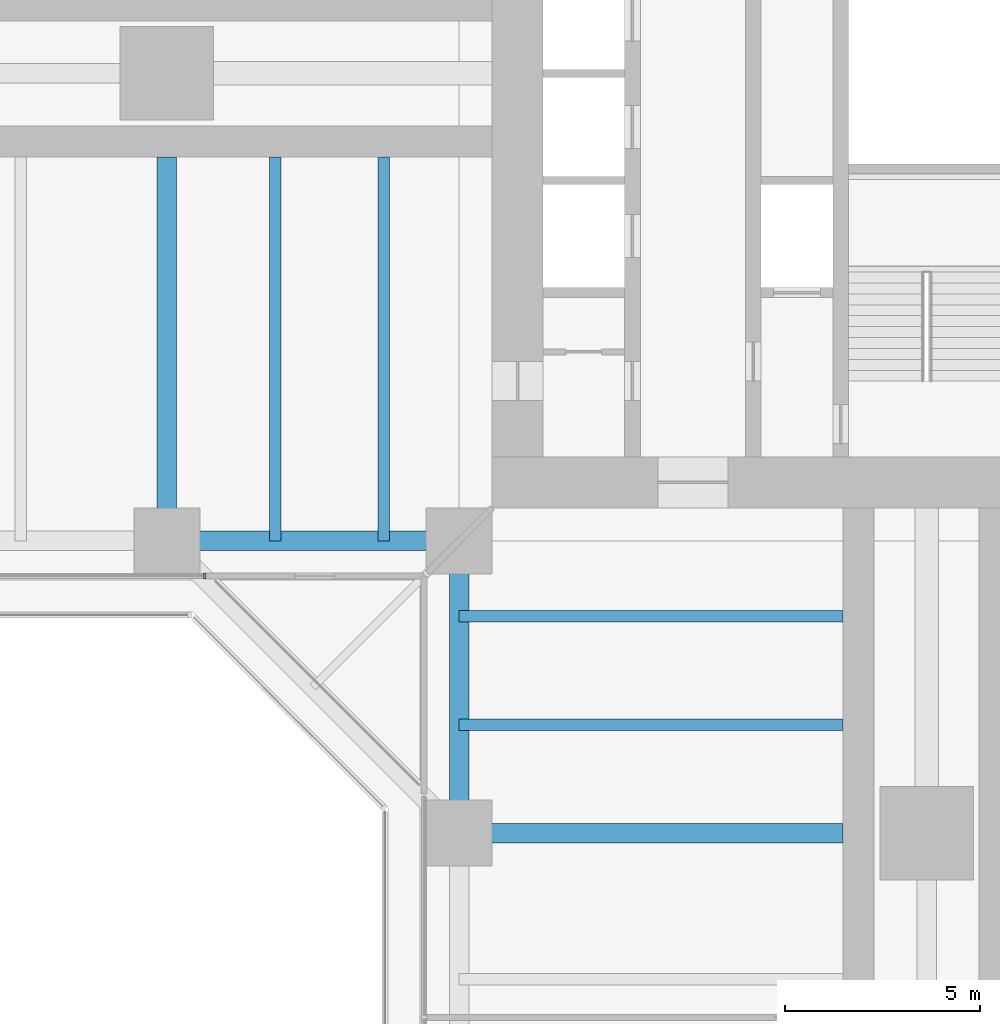
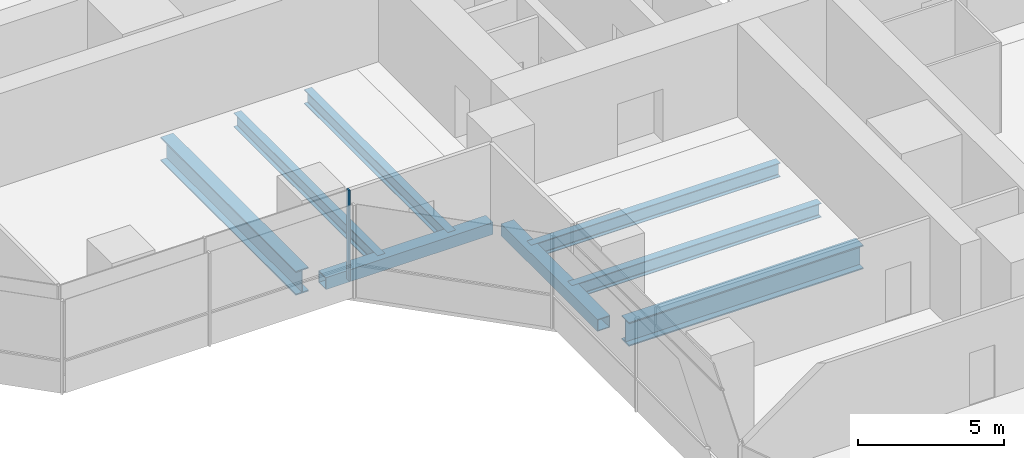
# One storey, part 4 of 22: 8 beams, 1 member, 1 element without a shape of its own.
"""IFC4 building model written with IfcOpenShell, lengths in metres."""

from ifc_helpers import new_model, si_unit, direction, frame, origin, origin_2d, place, context, subcontext, project, spatial, rectangle, hollow_rectangle, i_section, extrude, material, material_profile, profile_set, type_object, element, aggregate, save


model = new_model("IFC4")

# Units and contexts
model_context = context("Model", 3, precision=1e-05, world=origin(), true_north=direction((0.0, 1.0)))
body_context = subcontext(model_context, "Body", "Model", "MODEL_VIEW")
ifc_project = project(units=[si_unit("LENGTHUNIT", "METRE"), si_unit("AREAUNIT", "SQUARE_METRE"), si_unit("VOLUMEUNIT", "CUBIC_METRE"), si_unit("PLANEANGLEUNIT", "RADIAN"), si_unit("MASSUNIT", "GRAM", prefix="KILO")], contexts=[model_context])

# Site, building, storey
site_placement = place(None, origin())
site = spatial("IfcSite", under=ifc_project, at=site_placement, CompositionType="ELEMENT")
building_placement = place(site_placement, origin())
building = spatial("IfcBuilding", under=site, at=building_placement, Name="Mizan Broadcast Tower", CompositionType="ELEMENT")
storey_placement = place(building_placement, frame((0.0, 0.0, 86.39990234375)))
storey = spatial("IfcBuildingStorey", under=building, at=storey_placement, Name="L18", CompositionType="ELEMENT", Elevation=86.39990234375)

# Beams
ifc_material_1 = material(Name="Steel S355", Category="steel")
ifc_material_profile_1 = material_profile(ifc_material_1, hollow_rectangle(XDim=0.5, YDim=0.5, WallThickness=0.030029296875, at=origin_2d()), Name="BOX 500x500x30")
ifc_profile_set_1 = profile_set([ifc_material_profile_1], Name="Steel S355")
beam_type_1 = type_object("IfcBeamType", Name="EDGE BEAM BOX 500x500x30", PredefinedType="SPANDREL", material=ifc_profile_set_1)
for number, where, z_axis, x_axis, name in (
    (1, (-12.449951171875, -12.0, -0.3798828125), (-1.0, 0.0, 0.0), (0.0, -1.0, 0.0), "Edge beam BOX 500x500x30 L18 west arm"),
    (2, (-12.0, -12.449951171875, -0.3798828125), (0.0, -1.0, 0.0), (1.0, 0.0, 0.0), "Edge beam BOX 500x500x30 L18 south arm"),
):
    element("IfcBeam", number, at=place(storey_placement, frame(where, z_axis=z_axis, x_axis=x_axis)), inside=storey, type_object=beam_type_1, Name=name, PredefinedType="SPANDREL", context=body_context, shape_type="SweptSolid", body=[
        extrude(hollow_rectangle(XDim=0.5, YDim=0.5, WallThickness=0.030029296875, at=origin_2d()), origin(), (0.0, 0.0, 1.0), 6.60009765625),
    ])
ifc_material_2 = material(Name="Steel S460", Category="steel")
ifc_material_profile_2 = material_profile(ifc_material_2, i_section(OverallWidth=0.5, OverallDepth=1.0, WebThickness=0.02490234375, FlangeThickness=0.050048828125, at=origin_2d()), Name="WPG 1000x500")
ifc_profile_set_2 = profile_set([ifc_material_profile_2], Name="Steel S460")
beam_type_2 = type_object("IfcBeamType", Name="GIRDER WPG 1000x500", PredefinedType="BEAM", material=ifc_profile_set_2)
for number, where, z_axis, x_axis, name in (
    (3, (-19.5, -11.408935546875, -0.6298828125), (0.0, 1.0, 0.0), (-1.0, 0.0, 0.0), "Girder WPG 1000x500 L18 west arm"),
    (4, (-11.408935546875, -19.5, -0.6298828125), (1.0, 0.0, 0.0), (0.0, 1.0, 0.0), "Girder WPG 1000x500 L18 south arm"),
):
    element("IfcBeam", number, at=place(storey_placement, frame(where, z_axis=z_axis, x_axis=x_axis)), inside=storey, type_object=beam_type_2, Name=name, PredefinedType="BEAM", context=body_context, shape_type="SweptSolid", body=[
        extrude(i_section(OverallWidth=0.5, OverallDepth=1.0, WebThickness=0.02490234375, FlangeThickness=0.050048828125, at=origin_2d()), origin(), (0.0, 0.0, 1.0), 9.259033203125),
    ])

# Curtain wall, member
ifc_material_3 = material(Name="Aluminium framed glazing", Category="aluminium")
curtain_wall_type = type_object("IfcCurtainWallType", Name="INNER SKIN LOW ZONE", PredefinedType="USERDEFINED", material=ifc_material_3)
curtain_wall_placement = place(storey_placement, origin())
curtain_wall = element("IfcCurtainWall", 5, at=curtain_wall_placement, inside=storey, type_object=curtain_wall_type, Name="Inner skin low zone L18 W side", ObjectType="INNER SKIN LOW ZONE", PredefinedType="USERDEFINED")
ifc_material_4 = material(Name="Aluminium, pale anodised", Category="aluminium")
ifc_material_profile_3 = material_profile(ifc_material_4, rectangle(XDim=0.159912109375, YDim=0.06005859375, at=origin_2d()), Name="MULLION 160x60")
ifc_profile_set_3 = profile_set([ifc_material_profile_3], Name="Aluminium, pale anodised")
member_type = type_object("IfcMemberType", Name="INNER SKIN MULLION 60x160", PredefinedType="MULLION", material=ifc_profile_set_3)
member_placement = place(storey_placement, frame((-18.530029296875, -12.89990234375, 0.0), z_axis=(0.0, 0.0, 1.0), x_axis=(0.0, 1.0, 0.0)))
member = element("IfcMember", 6, at=member_placement, type_object=member_type, Name="Inner skin low zone L18 W side mullion 3", PredefinedType="MULLION", context=body_context, shape_type="SweptSolid", body=[
    extrude(rectangle(XDim=0.159912109375, YDim=0.06005859375, at=origin_2d()), origin(), (0.0, 0.0, 1.0), 3.77001953125),
])
aggregate(curtain_wall, [member])

# Beams
ifc_material_5 = material(Name="Steel S355", Category="steel")
ifc_material_profile_4 = material_profile(ifc_material_5, i_section(OverallWidth=0.300048828125, OverallDepth=0.590087890625, WebThickness=0.012939453125, FlangeThickness=0.02490234375, FilletRadius=0.027099609375, at=origin_2d()), Name="HEA 600")
ifc_profile_set_4 = profile_set([ifc_material_profile_4], Name="Steel S355")
beam_type_3 = type_object("IfcBeamType", Name="SECONDARY BEAM HEA 600", PredefinedType="JOIST", material=ifc_profile_set_4)
for number, where, z_axis, x_axis, name in (
    (7, (-13.933349609375, -12.0, -0.4248046875), (0.0, 1.0, 0.0), (-1.0, 0.0, 0.0), "Secondary beam HEA 600 L18 west arm"),
    (8, (-16.716552734375, -12.0, -0.4248046875), (0.0, 1.0, 0.0), (-1.0, 0.0, 0.0), "Secondary beam HEA 600 L18 west arm"),
    (9, (-12.0, -13.933349609375, -0.4248046875), (1.0, 0.0, 0.0), (0.0, 1.0, 0.0), "Secondary beam HEA 600 L18 south arm"),
    (10, (-12.0, -16.716552734375, -0.4248046875), (1.0, 0.0, 0.0), (0.0, 1.0, 0.0), "Secondary beam HEA 600 L18 south arm"),
):
    element("IfcBeam", number, at=place(storey_placement, frame(where, z_axis=z_axis, x_axis=x_axis)), inside=storey, type_object=beam_type_3, Name=name, PredefinedType="JOIST", context=body_context, shape_type="SweptSolid", body=[
        extrude(i_section(OverallWidth=0.300048828125, OverallDepth=0.590087890625, WebThickness=0.012939453125, FlangeThickness=0.02490234375, FilletRadius=0.027099609375, at=origin_2d()), origin(), (0.0, 0.0, 1.0), 9.85009765625),
    ])

save(model, "model.ifc")
